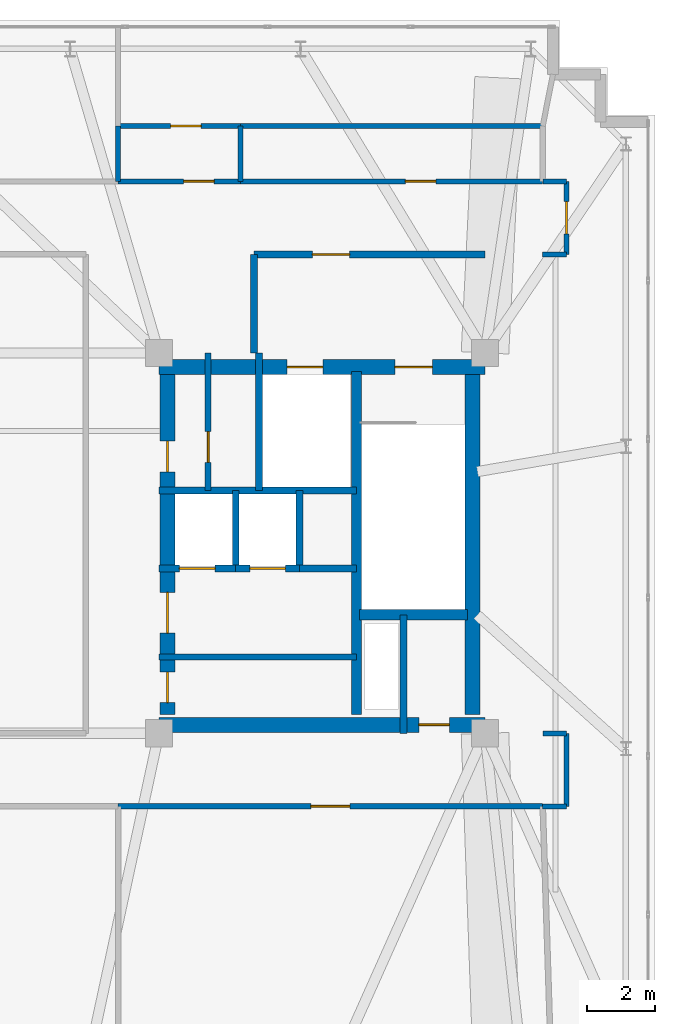
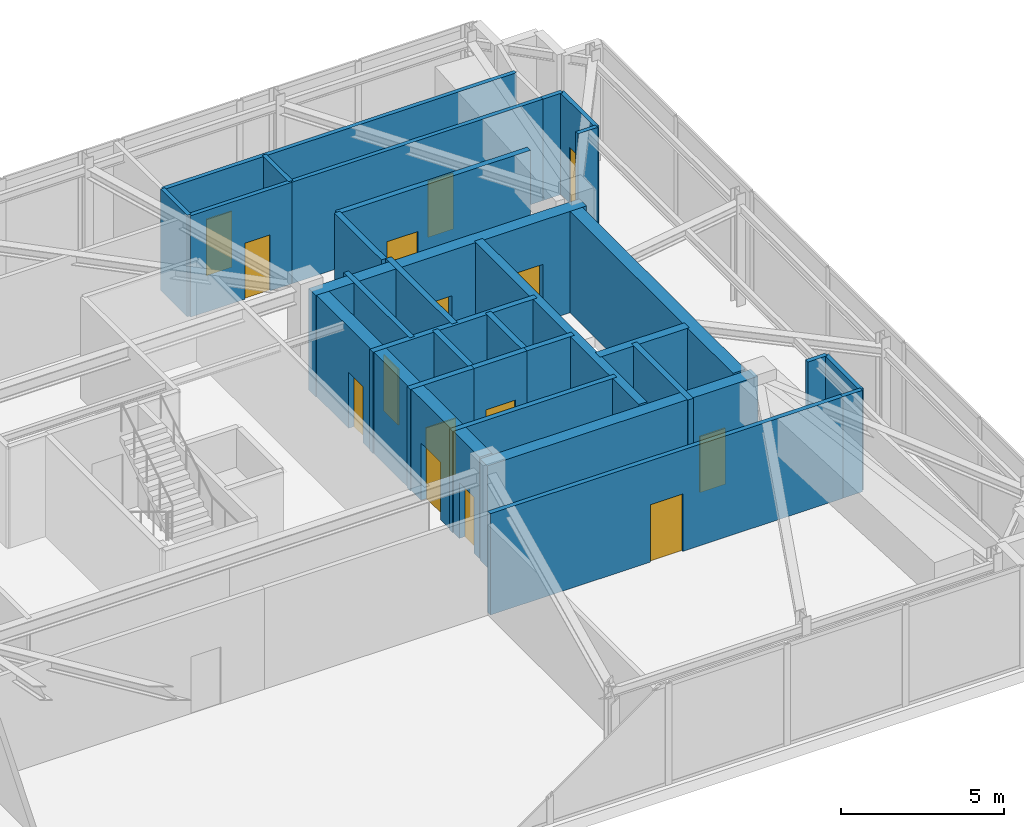
# One storey, part 23 of 27: 31 walls, 15 doors, 15 openings.
"""IFC4 building model written with IfcOpenShell, lengths in metres."""

from ifc_helpers import new_model, si_unit, direction, frame, frame_2d, origin, place, context, subcontext, project, spatial, rectangle, extrude, material, layer, layer_set, type_object, element, fill, save


model = new_model("IFC4")

# Units and contexts
model_context = context("Model", 3, precision=1e-05, world=origin(), true_north=direction((0.0, 1.0)))
body_context = subcontext(model_context, "Body", "Model", "MODEL_VIEW")
ifc_project = project(units=[si_unit("LENGTHUNIT", "METRE"), si_unit("AREAUNIT", "SQUARE_METRE"), si_unit("VOLUMEUNIT", "CUBIC_METRE"), si_unit("PLANEANGLEUNIT", "RADIAN"), si_unit("MASSUNIT", "GRAM", prefix="KILO")], contexts=[model_context])

# Site, building, storey
site_placement = place(None, origin())
site = spatial("IfcSite", under=ifc_project, at=site_placement, CompositionType="ELEMENT")
building_placement = place(site_placement, origin())
building = spatial("IfcBuilding", under=site, at=building_placement, Name="Qobustan Lattice House", CompositionType="ELEMENT")
storey_placement = place(building_placement, frame((0.0, 0.0, 266.0)))
storey = spatial("IfcBuildingStorey", under=building, at=storey_placement, Name="L75", CompositionType="ELEMENT", Elevation=266.0)

# Wall, openings, doors
ifc_material_1 = material(Name="Concrete C50/60", Category="concrete")
ifc_layer_1 = layer(ifc_material_1, 0.43994140625)
ifc_layer_set_1 = layer_set([ifc_layer_1], Name="Concrete C50/60")
wall_type_1 = type_object("IfcWallType", Name="WAL-CORE-440", PredefinedType="SHEAR", material=ifc_layer_set_1)
wall_1_placement = place(storey_placement, frame((9.199951171875, 5.179931640625, 0.0), z_axis=(0.0, 0.0, 1.0), x_axis=(1.0, 0.0, 0.0)))
wall_1 = element("IfcWall", 1, at=wall_1_placement, inside=storey, type_object=wall_type_1, Name="L75 split-core shear wall CE-N", PredefinedType="SHEAR", context=body_context, shape_type="SweptSolid", body=[
    extrude(rectangle(XDim=9.60009765625, YDim=0.43994140625, at=frame_2d((4.800048828125, 0.0))), origin(), (0.0, 0.0, 1.0), 3.800048828125),
])
opening_1_placement = place(wall_1_placement, frame((6.949951171875, 0.0, 0.0)))
opening_1 = element("IfcOpeningElement", 2, at=opening_1_placement, cuts=wall_1, Name="Opening SD-01", PredefinedType="OPENING", context=body_context, shape_type="SweptSolid", body=[
    extrude(rectangle(XDim=1.10009765625, YDim=2.14990234375, at=frame_2d((0.550048828125, 1.074951171875))), frame((0.0, 0.22998046875, 0.0), z_axis=(0.0, -1.0, 0.0), x_axis=(1.0, 0.0, 0.0)), (0.0, 0.0, 1.0), 0.4599609375),
])
opening_2_placement = place(wall_1_placement, frame((3.77490234375, 0.0, 0.0)))
opening_2 = element("IfcOpeningElement", 3, at=opening_2_placement, cuts=wall_1, Name="Opening LD-01", PredefinedType="OPENING", context=body_context, shape_type="SweptSolid", body=[
    extrude(rectangle(XDim=1.050048828125, YDim=2.10009765625, at=frame_2d((0.52490234375, 1.050048828125))), frame((0.0, 0.22998046875, 0.0), z_axis=(0.0, -1.0, 0.0), x_axis=(1.0, 0.0, 0.0)), (0.0, 0.0, 1.0), 0.4599609375),
])
ifc_material_2 = material(Name="Persian walnut timber and steel frame door", Category="steel")
door_type_1 = type_object("IfcDoorType", Name="DOR-LIFT-LD-1050x2100", OperationType="NOTDEFINED", PredefinedType="DOOR", material=ifc_material_2)
door_1_placement = place(opening_2_placement, origin())
door_1 = element("IfcDoor", 4, at=door_1_placement, inside=storey, type_object=door_type_1, Name="L75 firefighting lift FF-E landing door", OperationType="DOUBLE_DOOR_SLIDING", OverallHeight=2.10009765625, OverallWidth=1.050048828125, PredefinedType="DOOR", context=body_context, shape_type="SweptSolid", body=[
    extrude(rectangle(XDim=1.050048828125, YDim=2.10009765625, at=frame_2d((0.52490234375, 1.050048828125))), frame((0.0, 0.02490234375, 0.0), z_axis=(0.0, -1.0, 0.0), x_axis=(1.0, 0.0, 0.0)), (0.0, 0.0, 1.0), 0.050048828125),
])
fill(opening_2, door_1)
ifc_material_3 = material(Name="Persian walnut timber and steel frame door", Category="steel")
door_type_2 = type_object("IfcDoorType", Name="DOR-STAIR-FD-1100x2150", OperationType="NOTDEFINED", PredefinedType="DOOR", material=ifc_material_3)
door_2_placement = place(opening_1_placement, origin())
door_2 = element("IfcDoor", 5, at=door_2_placement, inside=storey, type_object=door_type_2, Name="L75 exit stair ST-E1 fire door", OperationType="SINGLE_SWING_RIGHT", OverallHeight=2.14990234375, OverallWidth=1.10009765625, PredefinedType="DOOR", context=body_context, shape_type="SweptSolid", body=[
    extrude(rectangle(XDim=1.10009765625, YDim=2.14990234375, at=frame_2d((0.550048828125, 1.074951171875))), frame((0.0, 0.02490234375, 0.0), z_axis=(0.0, -1.0, 0.0), x_axis=(1.0, 0.0, 0.0)), (0.0, 0.0, 1.0), 0.050048828125),
])
fill(opening_1, door_2)

# Wall, opening, door
wall_2_placement = place(storey_placement, frame((9.199951171875, -5.35009765625, 0.0), z_axis=(0.0, 0.0, 1.0), x_axis=(1.0, 0.0, 0.0)))
wall_2 = element("IfcWall", 6, at=wall_2_placement, inside=storey, type_object=wall_type_1, Name="L75 split-core shear wall CE-S", PredefinedType="SHEAR", context=body_context, shape_type="SweptSolid", body=[
    extrude(rectangle(XDim=9.60009765625, YDim=0.43994140625, at=frame_2d((4.800048828125, 0.0))), origin(), (0.0, 0.0, 1.0), 3.800048828125),
])
opening_3_placement = place(wall_2_placement, frame((7.64990234375, 0.0, 0.0)))
opening_3 = element("IfcOpeningElement", 7, at=opening_3_placement, cuts=wall_2, Name="Opening RD-01", PredefinedType="OPENING", context=body_context, shape_type="SweptSolid", body=[
    extrude(rectangle(XDim=0.89990234375, YDim=2.10009765625, at=frame_2d((0.449951171875, 1.050048828125))), frame((0.0, 0.22998046875, 0.0), z_axis=(0.0, -1.0, 0.0), x_axis=(1.0, 0.0, 0.0)), (0.0, 0.0, 1.0), 0.4599609375),
])
ifc_material_4 = material(Name="Persian walnut timber and steel frame door", Category="steel")
door_type_3 = type_object("IfcDoorType", Name="DOR-RISER-FD-900x2100", OperationType="NOTDEFINED", PredefinedType="DOOR", material=ifc_material_4)
door_3_placement = place(opening_3_placement, origin())
door_3 = element("IfcDoor", 8, at=door_3_placement, inside=storey, type_object=door_type_3, Name="L75 core service riser access door E", OperationType="SINGLE_SWING_RIGHT", OverallHeight=2.10009765625, OverallWidth=0.89990234375, PredefinedType="DOOR", context=body_context, shape_type="SweptSolid", body=[
    extrude(rectangle(XDim=0.89990234375, YDim=2.10009765625, at=frame_2d((0.449951171875, 1.050048828125))), frame((0.0, 0.02490234375, 0.0), z_axis=(0.0, -1.0, 0.0), x_axis=(1.0, 0.0, 0.0)), (0.0, 0.0, 1.0), 0.050048828125),
])
fill(opening_3, door_3)

# Wall, openings, doors
wall_3_placement = place(storey_placement, frame((9.449951171875, -5.050048828125, 0.0), z_axis=(0.0, 0.0, 1.0), x_axis=(0.0, 1.0, 0.0)))
wall_3 = element("IfcWall", 9, at=wall_3_placement, inside=storey, type_object=wall_type_1, Name="L75 split-core shear wall CE-W", PredefinedType="SHEAR", context=body_context, shape_type="SweptSolid", body=[
    extrude(rectangle(XDim=10.10009765625, YDim=0.43994140625, at=frame_2d((5.050048828125, 0.0))), origin(), (0.0, 0.0, 1.0), 3.800048828125),
])
opening_4_placement = place(wall_3_placement, frame((7.14990234375, 0.0, 0.0)))
opening_4 = element("IfcOpeningElement", 10, at=opening_4_placement, cuts=wall_3, Name="Opening RD-01", PredefinedType="OPENING", context=body_context, shape_type="SweptSolid", body=[
    extrude(rectangle(XDim=0.89990234375, YDim=2.10009765625, at=frame_2d((0.449951171875, 1.050048828125))), frame((0.0, 0.22998046875, 0.0), z_axis=(0.0, -1.0, 0.0), x_axis=(1.0, 0.0, 0.0)), (0.0, 0.0, 1.0), 0.4599609375),
])
opening_5_placement = place(wall_3_placement, frame((2.39990234375, 0.0, 0.0)))
opening_5 = element("IfcOpeningElement", 11, at=opening_5_placement, cuts=wall_3, Name="Opening FD-01", PredefinedType="OPENING", context=body_context, shape_type="SweptSolid", body=[
    extrude(rectangle(XDim=1.199951171875, YDim=2.14990234375, at=frame_2d((0.60009765625, 1.074951171875))), frame((0.0, 0.22998046875, 0.0), z_axis=(0.0, -1.0, 0.0), x_axis=(1.0, 0.0, 0.0)), (0.0, 0.0, 1.0), 0.4599609375),
])
opening_6_placement = place(wall_3_placement, frame((0.35009765625, 0.0, 0.0)))
opening_6 = element("IfcOpeningElement", 12, at=opening_6_placement, cuts=wall_3, Name="Opening RD-01", PredefinedType="OPENING", context=body_context, shape_type="SweptSolid", body=[
    extrude(rectangle(XDim=0.89990234375, YDim=2.10009765625, at=frame_2d((0.449951171875, 1.050048828125))), frame((0.0, 0.22998046875, 0.0), z_axis=(0.0, -1.0, 0.0), x_axis=(1.0, 0.0, 0.0)), (0.0, 0.0, 1.0), 0.4599609375),
])
ifc_material_5 = material(Name="Persian walnut timber and steel frame door", Category="steel")
door_type_4 = type_object("IfcDoorType", Name="DOR-LOBBY-FD-1200x2150", OperationType="NOTDEFINED", PredefinedType="DOOR", material=ifc_material_5)
door_4_placement = place(opening_5_placement, origin())
door_4 = element("IfcDoor", 13, at=door_4_placement, inside=storey, type_object=door_type_4, Name="L75 East passenger lift lobby fire door", OperationType="SINGLE_SWING_RIGHT", OverallHeight=2.14990234375, OverallWidth=1.199951171875, PredefinedType="DOOR", context=body_context, shape_type="SweptSolid", body=[
    extrude(rectangle(XDim=1.199951171875, YDim=2.14990234375, at=frame_2d((0.60009765625, 1.074951171875))), frame((0.0, 0.02490234375, 0.0), z_axis=(0.0, -1.0, 0.0), x_axis=(1.0, 0.0, 0.0)), (0.0, 0.0, 1.0), 0.050048828125),
])
fill(opening_5, door_4)
door_5_placement = place(opening_4_placement, origin())
door_5 = element("IfcDoor", 14, at=door_5_placement, inside=storey, type_object=door_type_3, Name="L75 Print and mail closet fire door", OperationType="SINGLE_SWING_LEFT", OverallHeight=2.10009765625, OverallWidth=0.89990234375, PredefinedType="DOOR", context=body_context, shape_type="SweptSolid", body=[
    extrude(rectangle(XDim=0.89990234375, YDim=2.10009765625, at=frame_2d((0.449951171875, 1.050048828125))), frame((0.0, 0.02490234375, 0.0), z_axis=(0.0, -1.0, 0.0), x_axis=(1.0, 0.0, 0.0)), (0.0, 0.0, 1.0), 0.050048828125),
])
fill(opening_4, door_5)
door_6_placement = place(opening_6_placement, origin())
door_6 = element("IfcDoor", 15, at=door_6_placement, inside=storey, type_object=door_type_3, Name="L75 Graduate seminar alcove fire door", OperationType="SINGLE_SWING_LEFT", OverallHeight=2.10009765625, OverallWidth=0.89990234375, PredefinedType="DOOR", context=body_context, shape_type="SweptSolid", body=[
    extrude(rectangle(XDim=0.89990234375, YDim=2.10009765625, at=frame_2d((0.449951171875, 1.050048828125))), frame((0.0, 0.02490234375, 0.0), z_axis=(0.0, -1.0, 0.0), x_axis=(1.0, 0.0, 0.0)), (0.0, 0.0, 1.0), 0.050048828125),
])
fill(opening_6, door_6)

# Walls
wall_4_placement = place(storey_placement, frame((18.429931640625, -5.050048828125, 0.0), z_axis=(0.0, 0.0, 1.0), x_axis=(0.0, 1.0, 0.0)))
element("IfcWall", 16, at=wall_4_placement, inside=storey, type_object=wall_type_1, Name="L75 split-core shear wall CE-E", PredefinedType="SHEAR", context=body_context, shape_type="SweptSolid", body=[
    extrude(rectangle(XDim=10.10009765625, YDim=0.43994140625, at=frame_2d((5.050048828125, 0.0))), origin(), (0.0, 0.0, 1.0), 3.800048828125),
])
ifc_material_6 = material(Name="Concrete C50/60", Category="concrete")
ifc_layer_2 = layer(ifc_material_6, 0.280029296875)
ifc_layer_set_2 = layer_set([ifc_layer_2], Name="Concrete C50/60")
wall_type_2 = type_object("IfcWallType", Name="WAL-CORE-SPINE-280", PredefinedType="SHEAR", material=ifc_layer_set_2)
wall_5_placement = place(storey_placement, frame((15.02001953125, -5.050048828125, 0.0), z_axis=(0.0, 0.0, 1.0), x_axis=(0.0, 1.0, 0.0)))
element("IfcWall", 17, at=wall_5_placement, inside=storey, type_object=wall_type_2, Name="L75 split-core shear wall CE-M", PredefinedType="SHEAR", context=body_context, shape_type="SweptSolid", body=[
    extrude(rectangle(XDim=10.10009765625, YDim=0.300048828125, at=frame_2d((5.050048828125, 0.0))), origin(), (0.0, 0.0, 1.0), 3.800048828125),
])
wall_6_placement = place(storey_placement, frame((15.10009765625, -2.110107421875, 0.0), z_axis=(0.0, 0.0, 1.0), x_axis=(1.0, 0.0, 0.0)))
element("IfcWall", 18, at=wall_6_placement, inside=storey, type_object=wall_type_2, Name="L75 split-core shear wall CE-ST", PredefinedType="SHEAR", context=body_context, shape_type="SweptSolid", body=[
    extrude(rectangle(XDim=3.179931640625, YDim=0.300048828125, at=frame_2d((1.58984375, 0.0))), origin(), (0.0, 0.0, 1.0), 3.800048828125),
])

# Wall, opening, door
ifc_material_7 = material(Name="Gypsum fireboard acoustic partition", Category="gypsum")
ifc_layer_3 = layer(ifc_material_7, 0.179931640625)
ifc_layer_set_3 = layer_set([ifc_layer_3], Name="Gypsum fireboard acoustic partition")
wall_type_3 = type_object("IfcWallType", Name="WAL-FIRE-180", PredefinedType="PARTITIONING", material=ifc_layer_set_3)
wall_7_placement = place(storey_placement, frame((10.64990234375, 1.550048828125, 0.0), z_axis=(0.0, 0.0, 1.0), x_axis=(0.0, 1.0, 0.0)))
wall_7 = element("IfcWall", 19, at=wall_7_placement, inside=storey, type_object=wall_type_3, Name="L75 interior partition 16", PredefinedType="PARTITIONING", context=body_context, shape_type="SweptSolid", body=[
    extrude(rectangle(XDim=4.050048828125, YDim=0.179931640625, at=frame_2d((2.02490234375, 0.0))), origin(), (0.0, 0.0, 1.0), 3.800048828125),
])
opening_7_placement = place(wall_7_placement, frame((0.828857421875, 0.0, 0.0)))
opening_7 = element("IfcOpeningElement", 20, at=opening_7_placement, cuts=wall_7, Name="Opening RD-01", PredefinedType="OPENING", context=body_context, shape_type="SweptSolid", body=[
    extrude(rectangle(XDim=0.89990234375, YDim=2.10009765625, at=frame_2d((0.449951171875, 1.050048828125))), frame((0.0, 0.099853515625, 0.0), z_axis=(0.0, -1.0, 0.0), x_axis=(1.0, 0.0, 0.0)), (0.0, 0.0, 1.0), 0.199951171875),
])
door_7_placement = place(opening_7_placement, origin())
door_7 = element("IfcDoor", 21, at=door_7_placement, inside=storey, type_object=door_type_3, Name="L75 Print and mail closet to Core utility store door", OperationType="SINGLE_SWING_RIGHT", OverallHeight=2.10009765625, OverallWidth=0.89990234375, PredefinedType="DOOR", context=body_context, shape_type="SweptSolid", body=[
    extrude(rectangle(XDim=0.89990234375, YDim=2.10009765625, at=frame_2d((0.449951171875, 1.050048828125))), frame((0.0, 0.02490234375, 0.0), z_axis=(0.0, -1.0, 0.0), x_axis=(1.0, 0.0, 0.0)), (0.0, 0.0, 1.0), 0.050048828125),
])
fill(opening_7, door_7)

# Wall
wall_8_placement = place(storey_placement, frame((9.199951171875, -3.35009765625, 0.0), z_axis=(0.0, 0.0, 1.0), x_axis=(1.0, 0.0, 0.0)))
element("IfcWall", 22, at=wall_8_placement, inside=storey, type_object=wall_type_3, Name="L75 interior partition 18", PredefinedType="PARTITIONING", context=body_context, shape_type="SweptSolid", body=[
    extrude(rectangle(XDim=5.820068359375, YDim=0.179931640625, at=frame_2d((2.91015625, 0.0))), origin(), (0.0, 0.0, 1.0), 3.800048828125),
])

# Wall, opening, door
ifc_material_8 = material(Name="Acoustic twin-stud gypsum partition", Category="gypsum")
ifc_layer_4 = layer(ifc_material_8, 0.14990234375)
ifc_layer_set_4 = layer_set([ifc_layer_4], Name="Acoustic twin-stud gypsum partition")
wall_type_4 = type_object("IfcWallType", Name="WAL-PART-150", PredefinedType="PARTITIONING", material=ifc_layer_set_4)
wall_9_placement = place(storey_placement, frame((21.199951171875, 10.64990234375, 0.0), z_axis=(0.0, 0.0, 1.0), x_axis=(0.0, -1.0, 0.0)))
wall_9 = element("IfcWall", 23, at=wall_9_placement, inside=storey, type_object=wall_type_4, Name="L75 interior partition 32", PredefinedType="PARTITIONING", context=body_context, shape_type="SweptSolid", body=[
    extrude(rectangle(XDim=2.14990234375, YDim=0.14990234375, at=frame_2d((1.074951171875, 0.0))), origin(), (0.0, 0.0, 1.0), 3.800048828125),
])
opening_8_placement = place(wall_9_placement, frame((0.60009765625, 0.0, 0.0)))
opening_8 = element("IfcOpeningElement", 24, at=opening_8_placement, cuts=wall_9, Name="Opening ID-01", PredefinedType="OPENING", context=body_context, shape_type="SweptSolid", body=[
    extrude(rectangle(XDim=0.949951171875, YDim=2.10009765625, at=frame_2d((0.47509765625, 1.050048828125))), frame((0.0, 0.0849609375, 0.0), z_axis=(0.0, -1.0, 0.0), x_axis=(1.0, 0.0, 0.0)), (0.0, 0.0, 1.0), 0.169921875),
])
ifc_material_9 = material(Name="Persian walnut timber and steel frame door", Category="steel")
door_type_5 = type_object("IfcDoorType", Name="DOR-ROOM-950x2100", OperationType="NOTDEFINED", PredefinedType="DOOR", material=ifc_material_9)
door_8_placement = place(opening_8_placement, origin())
door_8 = element("IfcDoor", 25, at=door_8_placement, inside=storey, type_object=door_type_5, Name="L75 North-east floor corridor to East Absheron management office door", OperationType="SINGLE_SWING_RIGHT", OverallHeight=2.10009765625, OverallWidth=0.949951171875, PredefinedType="DOOR", context=body_context, shape_type="SweptSolid", body=[
    extrude(rectangle(XDim=0.949951171875, YDim=2.10009765625, at=frame_2d((0.47509765625, 1.050048828125))), frame((0.0, 0.02490234375, 0.0), z_axis=(0.0, -1.0, 0.0), x_axis=(1.0, 0.0, 0.0)), (0.0, 0.0, 1.0), 0.050048828125),
])
fill(opening_8, door_8)

# Walls
for number, where, z_axis, x_axis, name in (
    (26, (20.5, 10.64990234375, 0.0), (0.0, 0.0, 1.0), (1.0, 0.0, 0.0), "L75 interior partition 33"),
    (27, (21.199951171875, 8.5, 0.0), (0.0, 0.0, 1.0), (-1.0, 0.0, 0.0), "L75 interior partition 34"),
):
    element("IfcWall", number, at=place(storey_placement, frame(where, z_axis=z_axis, x_axis=x_axis)), inside=storey, type_object=wall_type_4, Name=name, PredefinedType="PARTITIONING", context=body_context, shape_type="SweptSolid", body=[
        extrude(rectangle(XDim=0.699951171875, YDim=0.14990234375, at=frame_2d((0.35009765625, 0.0))), origin(), (0.0, 0.0, 1.0), 3.800048828125),
    ])
wall_10_placement = place(storey_placement, frame((21.199951171875, -5.60009765625, 0.0), z_axis=(0.0, 0.0, 1.0), x_axis=(0.0, -1.0, 0.0)))
element("IfcWall", 28, at=wall_10_placement, inside=storey, type_object=wall_type_4, Name="L75 interior partition 47", PredefinedType="PARTITIONING", context=body_context, shape_type="SweptSolid", body=[
    extrude(rectangle(XDim=2.14990234375, YDim=0.14990234375, at=frame_2d((1.074951171875, 0.0))), origin(), (0.0, 0.0, 1.0), 3.800048828125),
])
for number, where, z_axis, x_axis, name in (
    (29, (20.5, -5.60009765625, 0.0), (0.0, 0.0, 1.0), (1.0, 0.0, 0.0), "L75 interior partition 48"),
    (30, (21.199951171875, -7.75, 0.0), (0.0, 0.0, 1.0), (-1.0, 0.0, 0.0), "L75 interior partition 49"),
):
    element("IfcWall", number, at=place(storey_placement, frame(where, z_axis=z_axis, x_axis=x_axis)), inside=storey, type_object=wall_type_4, Name=name, PredefinedType="PARTITIONING", context=body_context, shape_type="SweptSolid", body=[
        extrude(rectangle(XDim=0.699951171875, YDim=0.14990234375, at=frame_2d((0.35009765625, 0.0))), origin(), (0.0, 0.0, 1.0), 3.800048828125),
    ])

# Wall, opening, door
ifc_material_10 = material(Name="High-mass acoustic twin-stud partition", Category="gypsum")
ifc_layer_5 = layer(ifc_material_10, 0.1650390625)
ifc_layer_set_5 = layer_set([ifc_layer_5], Name="High-mass acoustic twin-stud partition")
wall_type_5 = type_object("IfcWallType", Name="WAL-PART-165", PredefinedType="PARTITIONING", material=ifc_layer_set_5)
wall_11_placement = place(storey_placement, frame((20.5, -7.75, 0.0), z_axis=(0.0, 0.0, 1.0), x_axis=(-1.0, 0.0, 0.0)))
wall_11 = element("IfcWall", 31, at=wall_11_placement, inside=storey, type_object=wall_type_5, Name="L75 interior partition 46", PredefinedType="PARTITIONING", context=body_context, shape_type="SweptSolid", body=[
    extrude(rectangle(XDim=12.5, YDim=0.1650390625, at=frame_2d((6.25, 0.0))), origin(), (0.0, 0.0, 1.0), 3.800048828125),
])
opening_9_placement = place(wall_11_placement, frame((5.675048828125, 0.0, 0.0)))
opening_9 = element("IfcOpeningElement", 32, at=opening_9_placement, cuts=wall_11, Name="Opening ID-03", PredefinedType="OPENING", context=body_context, shape_type="SweptSolid", body=[
    extrude(rectangle(XDim=1.14990234375, YDim=2.14990234375, at=frame_2d((0.574951171875, 1.074951171875))), frame((0.0, 0.092529296875, 0.0), z_axis=(0.0, -1.0, 0.0), x_axis=(1.0, 0.0, 0.0)), (0.0, 0.0, 1.0), 0.18505859375),
])
ifc_material_11 = material(Name="Persian walnut timber and steel frame door", Category="steel")
door_type_6 = type_object("IfcDoorType", Name="DOR-KITCH-1150x2150", OperationType="NOTDEFINED", PredefinedType="DOOR", material=ifc_material_11)
door_9_placement = place(opening_9_placement, origin())
door_9 = element("IfcDoor", 33, at=door_9_placement, inside=storey, type_object=door_type_6, Name="L75 South-east floor corridor to Sky cafe servery kitchen door", OperationType="SINGLE_SWING_LEFT", OverallHeight=2.14990234375, OverallWidth=1.14990234375, PredefinedType="DOOR", context=body_context, shape_type="SweptSolid", body=[
    extrude(rectangle(XDim=1.14990234375, YDim=2.14990234375, at=frame_2d((0.574951171875, 1.074951171875))), frame((0.0, 0.02490234375, 0.0), z_axis=(0.0, -1.0, 0.0), x_axis=(1.0, 0.0, 0.0)), (0.0, 0.0, 1.0), 0.050048828125),
])
fill(opening_9, door_9)

ifc_material_12 = material(Name="Two-hour gypsum fireboard acoustic partition", Category="gypsum")
ifc_layer_6 = layer(ifc_material_12, 0.199951171875)
ifc_layer_set_6 = layer_set([ifc_layer_6], Name="Two-hour gypsum fireboard acoustic partition")
wall_type_6 = type_object("IfcWallType", Name="WAL-PROT-200", PredefinedType="PARTITIONING", material=ifc_layer_set_6)
wall_12_placement = place(storey_placement, frame((18.800048828125, 8.5, 0.0), z_axis=(0.0, 0.0, 1.0), x_axis=(-1.0, 0.0, 0.0)))
wall_12 = element("IfcWall", 34, at=wall_12_placement, inside=storey, type_object=wall_type_6, Name="L75 interior partition 14", PredefinedType="PARTITIONING", context=body_context, shape_type="SweptSolid", body=[
    extrude(rectangle(XDim=6.800048828125, YDim=0.199951171875, at=frame_2d((3.39990234375, 0.0))), origin(), (0.0, 0.0, 1.0), 3.800048828125),
])
opening_10_placement = place(wall_12_placement, frame((3.985107421875, 0.0, 0.0)))
opening_10 = element("IfcOpeningElement", 35, at=opening_10_placement, cuts=wall_12, Name="Opening SD-01", PredefinedType="OPENING", context=body_context, shape_type="SweptSolid", body=[
    extrude(rectangle(XDim=1.10009765625, YDim=2.14990234375, at=frame_2d((0.550048828125, 1.074951171875))), frame((0.0, 0.10986328125, 0.0), z_axis=(0.0, -1.0, 0.0), x_axis=(1.0, 0.0, 0.0)), (0.0, 0.0, 1.0), 0.219970703125),
])
door_10_placement = place(opening_10_placement, origin())
door_10 = element("IfcDoor", 36, at=door_10_placement, inside=storey, type_object=door_type_2, Name="L75 East firefighting lift lobby to North-east floor corridor door", OperationType="SINGLE_SWING_LEFT", OverallHeight=2.14990234375, OverallWidth=1.10009765625, PredefinedType="DOOR", context=body_context, shape_type="SweptSolid", body=[
    extrude(rectangle(XDim=1.10009765625, YDim=2.14990234375, at=frame_2d((0.550048828125, 1.074951171875))), frame((0.0, 0.02490234375, 0.0), z_axis=(0.0, -1.0, 0.0), x_axis=(1.0, 0.0, 0.0)), (0.0, 0.0, 1.0), 0.050048828125),
])
fill(opening_10, door_10)

# Walls
wall_13_placement = place(storey_placement, frame((12.0, 8.5, 0.0), z_axis=(0.0, 0.0, 1.0), x_axis=(0.0, -1.0, 0.0)))
element("IfcWall", 37, at=wall_13_placement, inside=storey, type_object=wall_type_6, Name="L75 interior partition 15", PredefinedType="PARTITIONING", context=body_context, shape_type="SweptSolid", body=[
    extrude(rectangle(XDim=2.89990234375, YDim=0.199951171875, at=frame_2d((1.449951171875, 0.0))), origin(), (0.0, 0.0, 1.0), 3.800048828125),
])
ifc_material_13 = material(Name="Concrete C40/50", Category="concrete")
ifc_layer_7 = layer(ifc_material_13, 0.199951171875)
ifc_layer_set_7 = layer_set([ifc_layer_7], Name="Concrete C40/50")
wall_type_7 = type_object("IfcWallType", Name="WAL-SHAFT-200", PredefinedType="PARTITIONING", material=ifc_layer_set_7)
wall_14_placement = place(storey_placement, frame((16.39990234375, -2.110107421875, 0.0), z_axis=(0.0, 0.0, 1.0), x_axis=(0.0, -1.0, 0.0)))
element("IfcWall", 38, at=wall_14_placement, inside=storey, type_object=wall_type_7, Name="L75 interior partition 12", PredefinedType="PARTITIONING", context=body_context, shape_type="SweptSolid", body=[
    extrude(rectangle(XDim=3.489990234375, YDim=0.199951171875, at=frame_2d((1.7451171875, 0.0))), origin(), (0.0, 0.0, 1.0), 3.800048828125),
])
wall_15_placement = place(storey_placement, frame((12.14990234375, 5.60009765625, 0.0), z_axis=(0.0, 0.0, 1.0), x_axis=(0.0, -1.0, 0.0)))
element("IfcWall", 39, at=wall_15_placement, inside=storey, type_object=wall_type_7, Name="L75 interior partition 13", PredefinedType="PARTITIONING", context=body_context, shape_type="SweptSolid", body=[
    extrude(rectangle(XDim=4.050048828125, YDim=0.199951171875, at=frame_2d((2.02490234375, 0.0))), origin(), (0.0, 0.0, 1.0), 3.800048828125),
])

# Wall, opening, door
wall_16_placement = place(storey_placement, frame((11.4599609375, -0.75, 0.0), z_axis=(0.0, 0.0, 1.0), x_axis=(-1.0, 0.0, 0.0)))
wall_16 = element("IfcWall", 40, at=wall_16_placement, inside=storey, type_object=wall_type_7, Name="L75 interior partition 19", PredefinedType="PARTITIONING", context=body_context, shape_type="SweptSolid", body=[
    extrude(rectangle(XDim=2.260009765625, YDim=0.199951171875, at=frame_2d((1.1298828125, 0.0))), origin(), (0.0, 0.0, 1.0), 3.800048828125),
])
opening_11_placement = place(wall_16_placement, frame((0.60498046875, 0.0, 0.0)))
opening_11 = element("IfcOpeningElement", 41, at=opening_11_placement, cuts=wall_16, Name="Opening LD-01", PredefinedType="OPENING", context=body_context, shape_type="SweptSolid", body=[
    extrude(rectangle(XDim=1.050048828125, YDim=2.10009765625, at=frame_2d((0.52490234375, 1.050048828125))), frame((0.0, 0.10986328125, 0.0), z_axis=(0.0, -1.0, 0.0), x_axis=(1.0, 0.0, 0.0)), (0.0, 0.0, 1.0), 0.219970703125),
])
door_11_placement = place(opening_11_placement, origin())
door_11 = element("IfcDoor", 42, at=door_11_placement, inside=storey, type_object=door_type_1, Name="L75 lift landing door", OperationType="DOUBLE_DOOR_SLIDING", OverallHeight=2.10009765625, OverallWidth=1.050048828125, PredefinedType="DOOR", context=body_context, shape_type="SweptSolid", body=[
    extrude(rectangle(XDim=1.050048828125, YDim=2.10009765625, at=frame_2d((0.52490234375, 1.050048828125))), frame((0.0, 0.02490234375, 0.0), z_axis=(0.0, -1.0, 0.0), x_axis=(1.0, 0.0, 0.0)), (0.0, 0.0, 1.0), 0.050048828125),
])
fill(opening_11, door_11)

wall_17_placement = place(storey_placement, frame((13.340087890625, -0.75, 0.0), z_axis=(0.0, 0.0, 1.0), x_axis=(-1.0, 0.0, 0.0)))
wall_17 = element("IfcWall", 43, at=wall_17_placement, inside=storey, type_object=wall_type_7, Name="L75 interior partition 20", PredefinedType="PARTITIONING", context=body_context, shape_type="SweptSolid", body=[
    extrude(rectangle(XDim=1.880126953125, YDim=0.199951171875, at=frame_2d((0.93994140625, 0.0))), origin(), (0.0, 0.0, 1.0), 3.800048828125),
])
opening_12_placement = place(wall_17_placement, frame((0.4150390625, 0.0, 0.0)))
opening_12 = element("IfcOpeningElement", 44, at=opening_12_placement, cuts=wall_17, Name="Opening LD-01", PredefinedType="OPENING", context=body_context, shape_type="SweptSolid", body=[
    extrude(rectangle(XDim=1.050048828125, YDim=2.10009765625, at=frame_2d((0.52490234375, 1.050048828125))), frame((0.0, 0.10986328125, 0.0), z_axis=(0.0, -1.0, 0.0), x_axis=(1.0, 0.0, 0.0)), (0.0, 0.0, 1.0), 0.219970703125),
])
door_12_placement = place(opening_12_placement, origin())
door_12 = element("IfcDoor", 45, at=door_12_placement, inside=storey, type_object=door_type_1, Name="L75 lift landing door", OperationType="DOUBLE_DOOR_SLIDING", OverallHeight=2.10009765625, OverallWidth=1.050048828125, PredefinedType="DOOR", context=body_context, shape_type="SweptSolid", body=[
    extrude(rectangle(XDim=1.050048828125, YDim=2.10009765625, at=frame_2d((0.52490234375, 1.050048828125))), frame((0.0, 0.02490234375, 0.0), z_axis=(0.0, -1.0, 0.0), x_axis=(1.0, 0.0, 0.0)), (0.0, 0.0, 1.0), 0.050048828125),
])
fill(opening_12, door_12)

# Walls
wall_18_placement = place(storey_placement, frame((15.02001953125, -0.75, 0.0), z_axis=(0.0, 0.0, 1.0), x_axis=(-1.0, 0.0, 0.0)))
element("IfcWall", 46, at=wall_18_placement, inside=storey, type_object=wall_type_7, Name="L75 interior partition 21", PredefinedType="PARTITIONING", context=body_context, shape_type="SweptSolid", body=[
    extrude(rectangle(XDim=1.679931640625, YDim=0.199951171875, at=frame_2d((0.83984375, 0.0))), origin(), (0.0, 0.0, 1.0), 3.800048828125),
])
for number, where, z_axis, x_axis, name in (
    (47, (11.4599609375, -0.75, 0.0), (0.0, 0.0, 1.0), (0.0, 1.0, 0.0), "L75 interior partition 24"),
    (48, (13.340087890625, -0.75, 0.0), (0.0, 0.0, 1.0), (0.0, 1.0, 0.0), "L75 interior partition 25"),
):
    element("IfcWall", number, at=place(storey_placement, frame(where, z_axis=z_axis, x_axis=x_axis)), inside=storey, type_object=wall_type_7, Name=name, PredefinedType="PARTITIONING", context=body_context, shape_type="SweptSolid", body=[
        extrude(rectangle(XDim=2.300048828125, YDim=0.199951171875, at=frame_2d((1.14990234375, 0.0))), origin(), (0.0, 0.0, 1.0), 3.800048828125),
    ])
wall_19_placement = place(storey_placement, frame((9.199951171875, 1.550048828125, 0.0), z_axis=(0.0, 0.0, 1.0), x_axis=(1.0, 0.0, 0.0)))
element("IfcWall", 49, at=wall_19_placement, inside=storey, type_object=wall_type_7, Name="L75 interior partition 69", PredefinedType="PARTITIONING", context=body_context, shape_type="SweptSolid", body=[
    extrude(rectangle(XDim=5.820068359375, YDim=0.199951171875, at=frame_2d((2.91015625, 0.0))), origin(), (0.0, 0.0, 1.0), 3.800048828125),
])

# Wall, opening, door
ifc_material_14 = material(Name="Moisture-resistant acoustic plumbing wall", Category="gypsum")
ifc_layer_8 = layer(ifc_material_14, 0.14990234375)
ifc_layer_set_8 = layer_set([ifc_layer_8], Name="Moisture-resistant acoustic plumbing wall")
wall_type_8 = type_object("IfcWallType", Name="WAL-WET-150", PredefinedType="PLUMBINGWALL", material=ifc_layer_set_8)
wall_20_placement = place(storey_placement, frame((8.0, 10.64990234375, 0.0), z_axis=(0.0, 0.0, 1.0), x_axis=(1.0, 0.0, 0.0)))
wall_20 = element("IfcWall", 50, at=wall_20_placement, inside=storey, type_object=wall_type_8, Name="L75 interior partition 36", PredefinedType="PLUMBINGWALL", context=body_context, shape_type="SweptSolid", body=[
    extrude(rectangle(XDim=3.60009765625, YDim=0.14990234375, at=frame_2d((1.800048828125, 0.0))), origin(), (0.0, 0.0, 1.0), 3.800048828125),
])
opening_13_placement = place(wall_20_placement, frame((1.927490234375, 0.0, 0.0)))
opening_13 = element("IfcOpeningElement", 51, at=opening_13_placement, cuts=wall_20, Name="Opening WD-01", PredefinedType="OPENING", context=body_context, shape_type="SweptSolid", body=[
    extrude(rectangle(XDim=0.89990234375, YDim=2.10009765625, at=frame_2d((0.449951171875, 1.050048828125))), frame((0.0, 0.0849609375, 0.0), z_axis=(0.0, -1.0, 0.0), x_axis=(1.0, 0.0, 0.0)), (0.0, 0.0, 1.0), 0.169921875),
])
ifc_material_15 = material(Name="Persian walnut timber and steel frame door", Category="steel")
door_type_7 = type_object("IfcDoorType", Name="DOR-WET-900x2100", OperationType="NOTDEFINED", PredefinedType="DOOR", material=ifc_material_15)
door_13_placement = place(opening_13_placement, origin())
door_13 = element("IfcDoor", 52, at=door_13_placement, inside=storey, type_object=door_type_7, Name="L75 North-east floor corridor to Public WC door", OperationType="SINGLE_SWING_LEFT", OverallHeight=2.10009765625, OverallWidth=0.89990234375, PredefinedType="DOOR", context=body_context, shape_type="SweptSolid", body=[
    extrude(rectangle(XDim=0.89990234375, YDim=2.10009765625, at=frame_2d((0.449951171875, 1.050048828125))), frame((0.0, 0.02490234375, 0.0), z_axis=(0.0, -1.0, 0.0), x_axis=(1.0, 0.0, 0.0)), (0.0, 0.0, 1.0), 0.050048828125),
])
fill(opening_13, door_13)

wall_21_placement = place(storey_placement, frame((11.60009765625, 10.64990234375, 0.0), z_axis=(0.0, 0.0, 1.0), x_axis=(1.0, 0.0, 0.0)))
wall_21 = element("IfcWall", 53, at=wall_21_placement, inside=storey, type_object=wall_type_8, Name="L75 interior partition 37", PredefinedType="PLUMBINGWALL", context=body_context, shape_type="SweptSolid", body=[
    extrude(rectangle(XDim=8.89990234375, YDim=0.14990234375, at=frame_2d((4.449951171875, 0.0))), origin(), (0.0, 0.0, 1.0), 3.800048828125),
])
opening_14_placement = place(wall_21_placement, frame((4.85498046875, 0.0, 0.0)))
opening_14 = element("IfcOpeningElement", 54, at=opening_14_placement, cuts=wall_21, Name="Opening WD-01", PredefinedType="OPENING", context=body_context, shape_type="SweptSolid", body=[
    extrude(rectangle(XDim=0.89990234375, YDim=2.10009765625, at=frame_2d((0.449951171875, 1.050048828125))), frame((0.0, 0.0849609375, 0.0), z_axis=(0.0, -1.0, 0.0), x_axis=(1.0, 0.0, 0.0)), (0.0, 0.0, 1.0), 0.169921875),
])
door_14_placement = place(opening_14_placement, origin())
door_14 = element("IfcDoor", 55, at=door_14_placement, inside=storey, type_object=door_type_7, Name="L75 North-east floor corridor to Accessible WC door", OperationType="SINGLE_SWING_RIGHT", OverallHeight=2.10009765625, OverallWidth=0.89990234375, PredefinedType="DOOR", context=body_context, shape_type="SweptSolid", body=[
    extrude(rectangle(XDim=0.89990234375, YDim=2.10009765625, at=frame_2d((0.449951171875, 1.050048828125))), frame((0.0, 0.02490234375, 0.0), z_axis=(0.0, -1.0, 0.0), x_axis=(1.0, 0.0, 0.0)), (0.0, 0.0, 1.0), 0.050048828125),
])
fill(opening_14, door_14)

# Walls
for number, where, z_axis, x_axis, name in (
    (56, (8.0, 12.280029296875, 0.0), (0.0, 0.0, 1.0), (0.0, -1.0, 0.0), "L75 interior partition 63"),
    (57, (11.60009765625, 12.280029296875, 0.0), (0.0, 0.0, 1.0), (0.0, -1.0, 0.0), "L75 interior partition 65"),
):
    element("IfcWall", number, at=place(storey_placement, frame(where, z_axis=z_axis, x_axis=x_axis)), inside=storey, type_object=wall_type_8, Name=name, PredefinedType="PLUMBINGWALL", context=body_context, shape_type="SweptSolid", body=[
        extrude(rectangle(XDim=1.630126953125, YDim=0.14990234375, at=frame_2d((0.81494140625, 0.0))), origin(), (0.0, 0.0, 1.0), 3.800048828125),
    ])

# Wall, opening, door
wall_22_placement = place(storey_placement, frame((8.0, 12.280029296875, 0.0), z_axis=(0.0, 0.0, 1.0), x_axis=(1.0, 0.0, 0.0)))
wall_22 = element("IfcWall", 58, at=wall_22_placement, inside=storey, type_object=wall_type_8, Name="L75 interior partition 66", PredefinedType="PLUMBINGWALL", context=body_context, shape_type="SweptSolid", body=[
    extrude(rectangle(XDim=3.60009765625, YDim=0.14990234375, at=frame_2d((1.800048828125, 0.0))), origin(), (0.0, 0.0, 1.0), 3.800048828125),
])
opening_15_placement = place(wall_22_placement, frame((1.54248046875, 0.0, 0.0)))
opening_15 = element("IfcOpeningElement", 59, at=opening_15_placement, cuts=wall_22, Name="Opening WD-01", PredefinedType="OPENING", context=body_context, shape_type="SweptSolid", body=[
    extrude(rectangle(XDim=0.89990234375, YDim=2.10009765625, at=frame_2d((0.449951171875, 1.050048828125))), frame((0.0, 0.0849609375, 0.0), z_axis=(0.0, -1.0, 0.0), x_axis=(1.0, 0.0, 0.0)), (0.0, 0.0, 1.0), 0.169921875),
])
door_15_placement = place(opening_15_placement, origin())
door_15 = element("IfcDoor", 60, at=door_15_placement, inside=storey, type_object=door_type_7, Name="L75 Public WC to Equipment and archive store door", OperationType="SINGLE_SWING_LEFT", OverallHeight=2.10009765625, OverallWidth=0.89990234375, PredefinedType="DOOR", context=body_context, shape_type="SweptSolid", body=[
    extrude(rectangle(XDim=0.89990234375, YDim=2.10009765625, at=frame_2d((0.449951171875, 1.050048828125))), frame((0.0, 0.02490234375, 0.0), z_axis=(0.0, -1.0, 0.0), x_axis=(1.0, 0.0, 0.0)), (0.0, 0.0, 1.0), 0.050048828125),
])
fill(opening_15, door_15)

# Wall
wall_23_placement = place(storey_placement, frame((11.60009765625, 12.280029296875, 0.0), z_axis=(0.0, 0.0, 1.0), x_axis=(1.0, 0.0, 0.0)))
element("IfcWall", 61, at=wall_23_placement, inside=storey, type_object=wall_type_8, Name="L75 interior partition 67", PredefinedType="PLUMBINGWALL", context=body_context, shape_type="SweptSolid", body=[
    extrude(rectangle(XDim=8.89990234375, YDim=0.14990234375, at=frame_2d((4.449951171875, 0.0))), origin(), (0.0, 0.0, 1.0), 3.800048828125),
])

save(model, "model.ifc")
